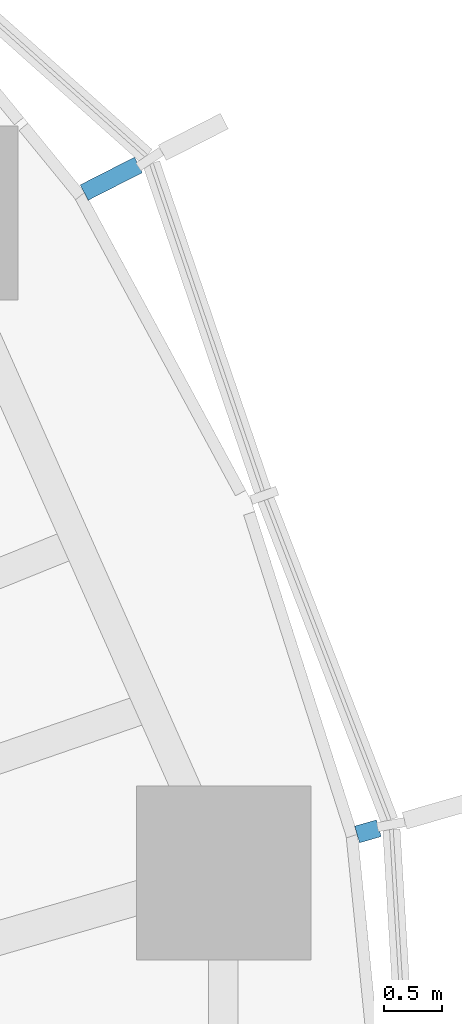
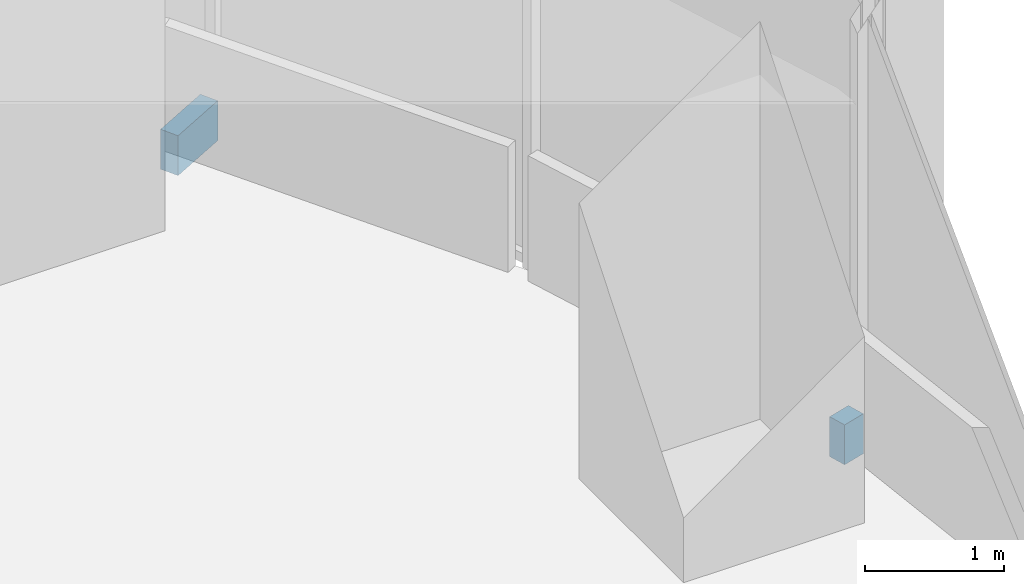
# One storey, part 16 of 18: 2 discrete accessories.
"""IFC4 building model written with IfcOpenShell, lengths in metres."""

from ifc_helpers import new_model, si_unit, direction, frame, origin, origin_2d, place, context, subcontext, project, spatial, rectangle, extrude, material, type_object, element, save


model = new_model("IFC4")

# Units and contexts
model_context = context("Model", 3, precision=1e-05, world=origin(), true_north=direction((0.0, 1.0)))
body_context = subcontext(model_context, "Body", "Model", "MODEL_VIEW")
ifc_project = project(units=[si_unit("LENGTHUNIT", "METRE"), si_unit("AREAUNIT", "SQUARE_METRE"), si_unit("VOLUMEUNIT", "CUBIC_METRE"), si_unit("PLANEANGLEUNIT", "RADIAN"), si_unit("MASSUNIT", "GRAM", prefix="KILO")], contexts=[model_context])

# Site, building, storey
site_placement = place(None, origin())
site = spatial("IfcSite", under=ifc_project, at=site_placement, CompositionType="ELEMENT")
building_placement = place(site_placement, origin())
building = spatial("IfcBuilding", under=site, at=building_placement, Name="Ghaith Harvest Tower", CompositionType="ELEMENT")
storey_placement = place(building_placement, frame((0.0, 0.0, 117.60009765625)))
storey = spatial("IfcBuildingStorey", under=building, at=storey_placement, Name="L24", CompositionType="ELEMENT", Elevation=117.60009765625)

# Discrete accessories
ifc_material_1 = material(Name="Stainless steel grade 1.4401", Category="steel")
discrete_accessory_type_1 = type_object("IfcDiscreteAccessoryType", Name="CURTAIN WALL BRACKET 195", PredefinedType="BRACKET", material=ifc_material_1)
discrete_accessory_1_placement = place(storey_placement, frame((30.528076171875, 8.8232421875, -0.250244140625), z_axis=(0.0, 0.0, 1.0), x_axis=(0.960680349985, 0.277656739792, 0.0)))
element("IfcDiscreteAccessory", 1, at=discrete_accessory_1_placement, inside=storey, type_object=discrete_accessory_type_1, Name="CW-L bracket 1 bay 02 L24", PredefinedType="BRACKET", context=body_context, shape_type="SweptSolid", body=[
    extrude(rectangle(XDim=0.195068359375, YDim=0.14990234375, at=origin_2d()), origin(), (0.0, 0.0, 1.0), 0.35009765625),
])
ifc_material_2 = material(Name="Stainless steel grade 1.4401", Category="steel")
discrete_accessory_type_2 = type_object("IfcDiscreteAccessoryType", Name="CURTAIN WALL BRACKET 525", PredefinedType="BRACKET", material=ifc_material_2)
discrete_accessory_2_placement = place(storey_placement, frame((28.318115234375, 14.442626953125, -0.250244140625), z_axis=(0.0, 0.0, 1.0), x_axis=(0.890830752257, 0.454335306611, 0.0)))
element("IfcDiscreteAccessory", 2, at=discrete_accessory_2_placement, inside=storey, type_object=discrete_accessory_type_2, Name="CW-L bracket 3 bay 02 L24", PredefinedType="BRACKET", context=body_context, shape_type="SweptSolid", body=[
    extrude(rectangle(XDim=0.52490234375, YDim=0.14990234375, at=origin_2d()), origin(), (0.0, 0.0, 1.0), 0.35009765625),
])

save(model, "model.ifc")
